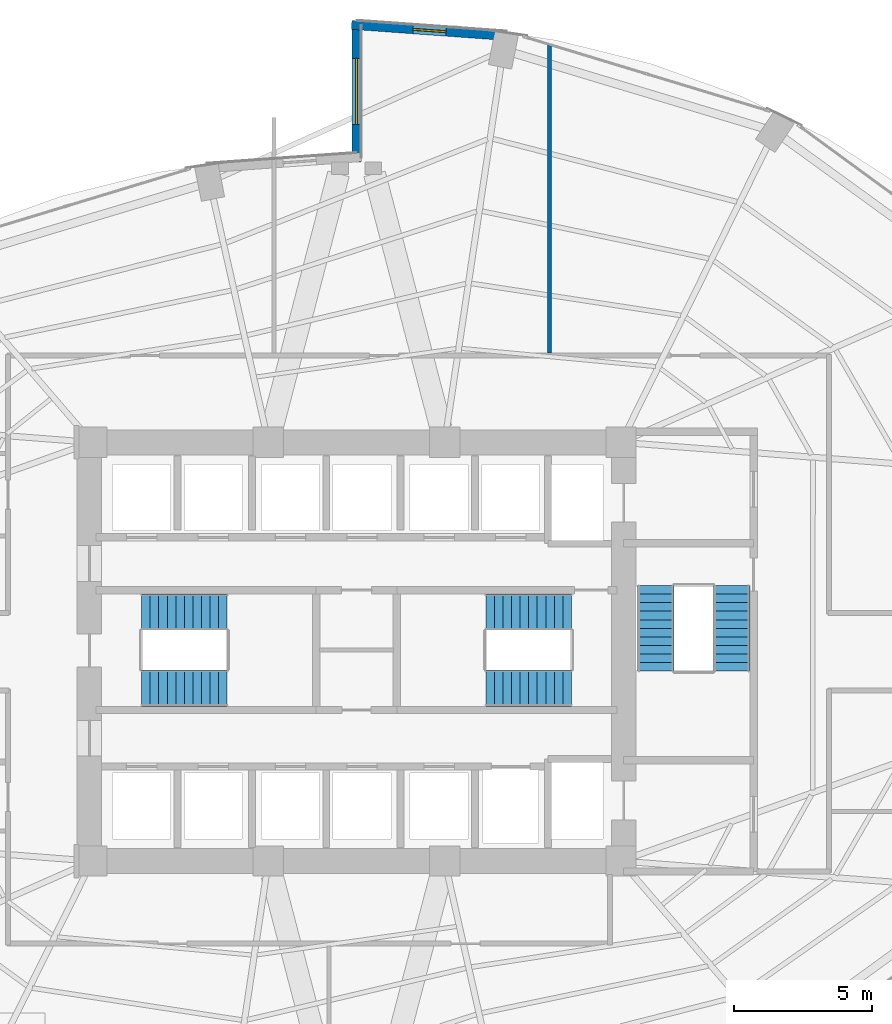
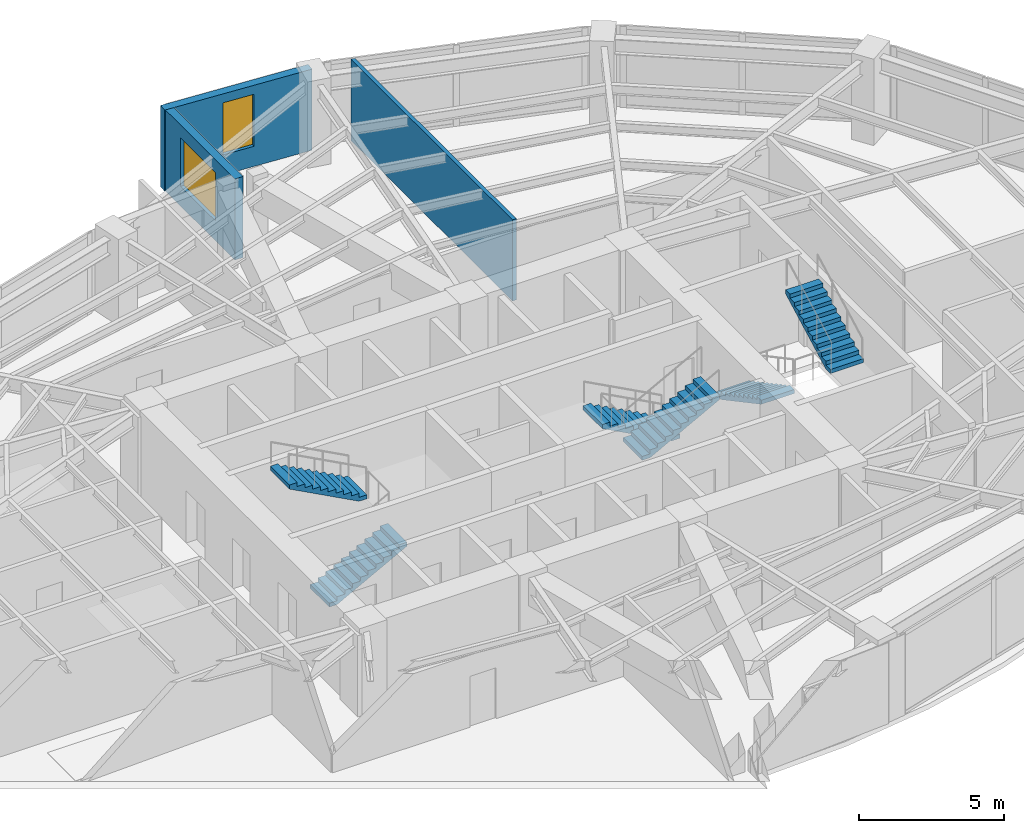
# One storey, part 22 of 24: 6 stair flights, 3 walls, 2 windows, 2 openings, 3 elements without a shape of their own.
"""IFC4 building model written with IfcOpenShell, lengths in metres."""

from ifc_helpers import new_model, si_unit, direction, frame, frame_2d, origin, place, context, subcontext, project, spatial, polyline, rectangle, outline, extrude, material, layer, layer_set, type_object, element, fill, aggregate, save


model = new_model("IFC4")

# Units and contexts
model_context = context("Model", 3, precision=1e-05, world=origin(), true_north=direction((0.0, 1.0)))
body_context = subcontext(model_context, "Body", "Model", "MODEL_VIEW")
ifc_project = project(units=[si_unit("LENGTHUNIT", "METRE"), si_unit("AREAUNIT", "SQUARE_METRE"), si_unit("VOLUMEUNIT", "CUBIC_METRE"), si_unit("PLANEANGLEUNIT", "RADIAN"), si_unit("MASSUNIT", "GRAM", prefix="KILO")], contexts=[model_context])

# Site, building, storey
site_placement = place(None, origin())
site = spatial("IfcSite", under=ifc_project, at=site_placement, CompositionType="ELEMENT")
building_placement = place(site_placement, origin())
building = spatial("IfcBuilding", under=site, at=building_placement, Name="Lazwardi Medical Tower", CompositionType="ELEMENT")
storey_placement = place(building_placement, frame((0.0, 0.0, 36.14404296875)))
storey = spatial("IfcBuildingStorey", under=building, at=storey_placement, Name="L08", CompositionType="ELEMENT", Elevation=36.14404296875)

# Wall, opening, window
ifc_material_1 = material(Name="Precast concrete C45/55", Category="concrete")
ifc_layer_1 = layer(ifc_material_1, 0.320068359375)
ifc_layer_set_1 = layer_set([ifc_layer_1], Name="Precast concrete C45/55")
wall_type_1 = type_object("IfcWallType", Name="WL-IWAN-320", PredefinedType="SOLIDWALL", material=ifc_layer_set_1)
wall_1_placement = place(storey_placement, frame((41.481201171875, 50.345703125, 0.0), z_axis=(0.0, 0.0, 1.0), x_axis=(-0.997422321809, 0.071754525696, 0.0)))
wall_1 = element("IfcWall", 1, at=wall_1_placement, inside=storey, type_object=wall_type_1, Name="L08 Iwan Portal Return Wall NE_ret", PredefinedType="SOLIDWALL", context=body_context, shape_type="SweptSolid", body=[
    extrude(rectangle(XDim=5.67529296875, YDim=0.320068359375, at=frame_2d((2.837646484375, 0.0))), origin(), (0.0, 0.0, 1.0), 3.427978515625),
])
opening_1_placement = place(wall_1_placement, frame((2.23779296875, 0.0, 0.85009765625)))
opening_1 = element("IfcOpeningElement", 2, at=opening_1_placement, cuts=wall_1, Name="Opening WN-01", PredefinedType="OPENING", context=body_context, shape_type="SweptSolid", body=[
    extrude(rectangle(XDim=1.199951171875, YDim=2.199951171875, at=frame_2d((0.60009765625, 1.10009765625))), frame((0.0, 0.169921875, 0.0), z_axis=(0.0, -1.0, 0.0), x_axis=(1.0, 0.0, 0.0)), (0.0, 0.0, 1.0), 0.340087890625),
])
ifc_material_2 = material(Name="Low-e bronze solar control double glazing", Category="glass")
window_type_1 = type_object("IfcWindowType", Name="WIN-IW-1200", PartitioningType="SINGLE_PANEL", PredefinedType="WINDOW", material=ifc_material_2)
window_1_placement = place(opening_1_placement, origin())
window_1 = element("IfcWindow", 3, at=window_1_placement, inside=storey, type_object=window_type_1, Name="L08 Iwan Slot Window NE_ret", OverallHeight=2.199951171875, OverallWidth=1.199951171875, PartitioningType="SINGLE_PANEL", PredefinedType="WINDOW", context=body_context, shape_type="SweptSolid", body=[
    extrude(rectangle(XDim=1.199951171875, YDim=2.199951171875, at=frame_2d((0.60009765625, 1.10009765625))), frame((0.0, 0.030029296875, 0.0), z_axis=(0.0, -1.0, 0.0), x_axis=(1.0, 0.0, 0.0)), (0.0, 0.0, 1.0), 0.06005859375),
])
fill(opening_1, window_1)

wall_2_placement = place(storey_placement, frame((36.0, 50.89990234375, 0.0), z_axis=(0.0, 0.0, 1.0), x_axis=(0.0, -1.0, 0.0)))
wall_2 = element("IfcWall", 4, at=wall_2_placement, inside=storey, type_object=wall_type_1, Name="L08 Turquoise Tilework Iwan Seam Wall N_seam", PredefinedType="SOLIDWALL", context=body_context, shape_type="SweptSolid", body=[
    extrude(rectangle(XDim=5.119873046875, YDim=0.320068359375, at=frame_2d((2.56005859375, 0.0))), origin(), (0.0, 0.0, 1.0), 3.427978515625),
])
opening_2_placement = place(wall_2_placement, frame((1.360107421875, 0.0, 0.840087890625)))
opening_2 = element("IfcOpeningElement", 5, at=opening_2_placement, cuts=wall_2, Name="Opening WN-02", PredefinedType="OPENING", context=body_context, shape_type="SweptSolid", body=[
    extrude(rectangle(XDim=2.39990234375, YDim=2.0400390625, at=frame_2d((1.199951171875, 1.02001953125))), frame((0.0, 0.169921875, 0.0), z_axis=(0.0, -1.0, 0.0), x_axis=(1.0, 0.0, 0.0)), (0.0, 0.0, 1.0), 0.340087890625),
])
window_type_2 = type_object("IfcWindowType", Name="WIN-IW-2400", PartitioningType="SINGLE_PANEL", PredefinedType="WINDOW", material=ifc_material_2)
window_2_placement = place(opening_2_placement, origin())
window_2 = element("IfcWindow", 6, at=window_2_placement, inside=storey, type_object=window_type_2, Name="L08 Iwan Seam Window N_seam", OverallHeight=2.0400390625, OverallWidth=2.39990234375, PartitioningType="SINGLE_PANEL", PredefinedType="WINDOW", context=body_context, shape_type="SweptSolid", body=[
    extrude(rectangle(XDim=2.39990234375, YDim=2.0400390625, at=frame_2d((1.199951171875, 1.02001953125))), frame((0.0, 0.030029296875, 0.0), z_axis=(0.0, -1.0, 0.0), x_axis=(1.0, 0.0, 0.0)), (0.0, 0.0, 1.0), 0.06005859375),
])
fill(opening_2, window_2)

# Wall
ifc_material_3 = material(Name="Acoustic gypsum board partition")
ifc_layer_2 = layer(ifc_material_3, 0.14990234375)
ifc_layer_set_2 = layer_set([ifc_layer_2], Name="Acoustic gypsum board partition")
wall_type_2 = type_object("IfcWallType", Name="WL-WRD-150", PredefinedType="PARTITIONING", material=ifc_layer_set_2)
wall_3_placement = place(storey_placement, frame((43.0, 38.840087890625, 0.0), z_axis=(0.0, 0.0, 1.0), x_axis=(0.0, 1.0, 0.0)))
element("IfcWall", 7, at=wall_3_placement, inside=storey, type_object=wall_type_2, Name="L08 Room partition 7", PredefinedType="PARTITIONING", context=body_context, shape_type="SweptSolid", body=[
    extrude(rectangle(XDim=11.193115234375, YDim=0.14990234375, at=frame_2d((5.5966796875, 0.0))), origin(), (0.0, 0.0, 1.0), 3.427978515625),
])

# Stair, stair flights
ifc_material_4 = material(Name="Concrete C45/55", Category="concrete")
stair_type = type_object("IfcStairType", Name="STR-WRD", PredefinedType="HALF_TURN_STAIR", material=ifc_material_4)
stair_1_placement = place(storey_placement, origin())
stair_1 = element("IfcStair", 8, at=stair_1_placement, inside=storey, type_object=stair_type, Name="L08 Protected Exit Stair ST1", PredefinedType="HALF_TURN_STAIR")
stair_flight_type = type_object("IfcStairFlightType", Name="FLT-WRD", PredefinedType="STRAIGHT", material=ifc_material_4)
stair_flight_1_placement = place(storey_placement, frame((28.199951171875, 26.679931640625, 0.0), z_axis=(0.0, 0.0, 1.0), x_axis=(1.0, 0.0, 0.0)))
stair_flight_1 = element("IfcStairFlight", 9, at=stair_flight_1_placement, type_object=stair_flight_type, Name="ST1 flight 1", NumberOfRisers=11, NumberOfTreads=10, PredefinedType="STRAIGHT", RiserHeight=0.165818182, TreadLength=0.31, context=body_context, shape_type="SweptSolid", body=[
    extrude(outline(polyline([(0.0, 0.0), (0.0, 0.165771484375), (0.31005859375, 0.165771484375), (0.31005859375, 0.33154296875), (0.6201171875, 0.33154296875), (0.6201171875, 0.49755859375), (0.929931640625, 0.49755859375), (0.929931640625, 0.663330078125), (1.239990234375, 0.663330078125), (1.239990234375, 0.8291015625), (1.550048828125, 0.8291015625), (1.550048828125, 0.994873046875), (1.860107421875, 0.994873046875), (1.860107421875, 1.16064453125), (2.169921875, 1.16064453125), (2.169921875, 1.32666015625), (2.47998046875, 1.32666015625), (2.47998046875, 1.492431640625), (2.7900390625, 1.492431640625), (2.7900390625, 1.658203125), (3.10009765625, 1.658203125), (3.10009765625, 1.823974609375), (3.10009765625, 1.48828125), (0.31787109375, 0.0), (0.0, 0.0)])), frame((0.0, 0.66015625, 0.0), z_axis=(0.0, -1.0, 0.0), x_axis=(1.0, 0.0, 0.0)), (0.0, 0.0, 1.0), 1.320068359375),
])
stair_flight_2_placement = place(storey_placement, frame((31.300048828125, 29.43994140625, 1.823974609375), z_axis=(0.0, 0.0, 1.0), x_axis=(-1.0, 0.0, 0.0)))
stair_flight_2 = element("IfcStairFlight", 10, at=stair_flight_2_placement, type_object=stair_flight_type, Name="ST1 flight 2", NumberOfRisers=11, NumberOfTreads=10, PredefinedType="STRAIGHT", RiserHeight=0.165818182, TreadLength=0.31, context=body_context, shape_type="SweptSolid", body=[
    extrude(outline(polyline([(0.0, 0.0), (0.0, 0.165771484375), (0.31005859375, 0.165771484375), (0.31005859375, 0.33154296875), (0.6201171875, 0.33154296875), (0.6201171875, 0.49755859375), (0.929931640625, 0.49755859375), (0.929931640625, 0.663330078125), (1.239990234375, 0.663330078125), (1.239990234375, 0.8291015625), (1.550048828125, 0.8291015625), (1.550048828125, 0.994873046875), (1.860107421875, 0.994873046875), (1.860107421875, 1.16064453125), (2.169921875, 1.16064453125), (2.169921875, 1.32666015625), (2.47998046875, 1.32666015625), (2.47998046875, 1.492431640625), (2.7900390625, 1.492431640625), (2.7900390625, 1.658203125), (3.10009765625, 1.658203125), (3.10009765625, 1.823974609375), (3.10009765625, 1.48828125), (0.31787109375, 0.0), (0.0, 0.0)])), frame((0.0, 0.66015625, 0.0), z_axis=(0.0, -1.0, 0.0), x_axis=(1.0, 0.0, 0.0)), (0.0, 0.0, 1.0), 1.320068359375),
])
aggregate(stair_1, [stair_flight_1, stair_flight_2])

stair_2_placement = place(storey_placement, origin())
stair_2 = element("IfcStair", 11, at=stair_2_placement, inside=storey, type_object=stair_type, Name="L08 Protected Exit Stair ST2", PredefinedType="HALF_TURN_STAIR")
stair_flight_3_placement = place(storey_placement, frame((43.800048828125, 29.43994140625, 0.0), z_axis=(0.0, 0.0, 1.0), x_axis=(-1.0, 0.0, 0.0)))
stair_flight_3 = element("IfcStairFlight", 12, at=stair_flight_3_placement, type_object=stair_flight_type, Name="ST2 flight 1", NumberOfRisers=11, NumberOfTreads=10, PredefinedType="STRAIGHT", RiserHeight=0.165818182, TreadLength=0.31, context=body_context, shape_type="SweptSolid", body=[
    extrude(outline(polyline([(0.0, 0.0), (0.0, 0.165771484375), (0.31005859375, 0.165771484375), (0.31005859375, 0.33154296875), (0.6201171875, 0.33154296875), (0.6201171875, 0.49755859375), (0.929931640625, 0.49755859375), (0.929931640625, 0.663330078125), (1.239990234375, 0.663330078125), (1.239990234375, 0.8291015625), (1.550048828125, 0.8291015625), (1.550048828125, 0.994873046875), (1.860107421875, 0.994873046875), (1.860107421875, 1.16064453125), (2.169921875, 1.16064453125), (2.169921875, 1.32666015625), (2.47998046875, 1.32666015625), (2.47998046875, 1.492431640625), (2.7900390625, 1.492431640625), (2.7900390625, 1.658203125), (3.10009765625, 1.658203125), (3.10009765625, 1.823974609375), (3.10009765625, 1.48828125), (0.31787109375, 0.0), (0.0, 0.0)])), frame((0.0, 0.66015625, 0.0), z_axis=(0.0, -1.0, 0.0), x_axis=(1.0, 0.0, 0.0)), (0.0, 0.0, 1.0), 1.320068359375),
])
stair_flight_4_placement = place(storey_placement, frame((40.699951171875, 26.679931640625, 1.823974609375), z_axis=(0.0, 0.0, 1.0), x_axis=(1.0, 0.0, 0.0)))
stair_flight_4 = element("IfcStairFlight", 13, at=stair_flight_4_placement, type_object=stair_flight_type, Name="ST2 flight 2", NumberOfRisers=11, NumberOfTreads=10, PredefinedType="STRAIGHT", RiserHeight=0.165818182, TreadLength=0.31, context=body_context, shape_type="SweptSolid", body=[
    extrude(outline(polyline([(0.0, 0.0), (0.0, 0.165771484375), (0.31005859375, 0.165771484375), (0.31005859375, 0.33154296875), (0.6201171875, 0.33154296875), (0.6201171875, 0.49755859375), (0.929931640625, 0.49755859375), (0.929931640625, 0.663330078125), (1.239990234375, 0.663330078125), (1.239990234375, 0.8291015625), (1.550048828125, 0.8291015625), (1.550048828125, 0.994873046875), (1.860107421875, 0.994873046875), (1.860107421875, 1.16064453125), (2.169921875, 1.16064453125), (2.169921875, 1.32666015625), (2.47998046875, 1.32666015625), (2.47998046875, 1.492431640625), (2.7900390625, 1.492431640625), (2.7900390625, 1.658203125), (3.10009765625, 1.658203125), (3.10009765625, 1.823974609375), (3.10009765625, 1.48828125), (0.31787109375, 0.0), (0.0, 0.0)])), frame((0.0, 0.66015625, 0.0), z_axis=(0.0, -1.0, 0.0), x_axis=(1.0, 0.0, 0.0)), (0.0, 0.0, 1.0), 1.320068359375),
])
aggregate(stair_2, [stair_flight_3, stair_flight_4])

stair_3_placement = place(storey_placement, origin())
stair_3 = element("IfcStair", 14, at=stair_3_placement, inside=storey, type_object=stair_type, Name="L08 Protected Exit Stair ST3", PredefinedType="HALF_TURN_STAIR")
stair_flight_5_placement = place(storey_placement, frame((46.860107421875, 30.39990234375, 0.0), z_axis=(0.0, 0.0, 1.0), x_axis=(0.0, -1.0, 0.0)))
stair_flight_5 = element("IfcStairFlight", 15, at=stair_flight_5_placement, type_object=stair_flight_type, Name="ST3 flight 1", NumberOfRisers=11, NumberOfTreads=10, PredefinedType="STRAIGHT", RiserHeight=0.165818182, TreadLength=0.31, context=body_context, shape_type="SweptSolid", body=[
    extrude(outline(polyline([(0.0, 0.0), (0.0, 0.165771484375), (0.31005859375, 0.165771484375), (0.31005859375, 0.33154296875), (0.6201171875, 0.33154296875), (0.6201171875, 0.49755859375), (0.929931640625, 0.49755859375), (0.929931640625, 0.663330078125), (1.239990234375, 0.663330078125), (1.239990234375, 0.8291015625), (1.550048828125, 0.8291015625), (1.550048828125, 0.994873046875), (1.860107421875, 0.994873046875), (1.860107421875, 1.16064453125), (2.169921875, 1.16064453125), (2.169921875, 1.32666015625), (2.47998046875, 1.32666015625), (2.47998046875, 1.492431640625), (2.7900390625, 1.492431640625), (2.7900390625, 1.658203125), (3.10009765625, 1.658203125), (3.10009765625, 1.823974609375), (3.10009765625, 1.48828125), (0.31787109375, 0.0), (0.0, 0.0)])), frame((0.0, 0.66015625, 0.0), z_axis=(0.0, -1.0, 0.0), x_axis=(1.0, 0.0, 0.0)), (0.0, 0.0, 1.0), 1.320068359375),
])
stair_flight_6_placement = place(storey_placement, frame((49.6201171875, 27.300048828125, 1.823974609375), z_axis=(0.0, 0.0, 1.0), x_axis=(0.0, 1.0, 0.0)))
stair_flight_6 = element("IfcStairFlight", 16, at=stair_flight_6_placement, type_object=stair_flight_type, Name="ST3 flight 2", NumberOfRisers=11, NumberOfTreads=10, PredefinedType="STRAIGHT", RiserHeight=0.165818182, TreadLength=0.31, context=body_context, shape_type="SweptSolid", body=[
    extrude(outline(polyline([(0.0, 0.0), (0.0, 0.165771484375), (0.31005859375, 0.165771484375), (0.31005859375, 0.33154296875), (0.6201171875, 0.33154296875), (0.6201171875, 0.49755859375), (0.929931640625, 0.49755859375), (0.929931640625, 0.663330078125), (1.239990234375, 0.663330078125), (1.239990234375, 0.8291015625), (1.550048828125, 0.8291015625), (1.550048828125, 0.994873046875), (1.860107421875, 0.994873046875), (1.860107421875, 1.16064453125), (2.169921875, 1.16064453125), (2.169921875, 1.32666015625), (2.47998046875, 1.32666015625), (2.47998046875, 1.492431640625), (2.7900390625, 1.492431640625), (2.7900390625, 1.658203125), (3.10009765625, 1.658203125), (3.10009765625, 1.823974609375), (3.10009765625, 1.48828125), (0.31787109375, 0.0), (0.0, 0.0)])), frame((0.0, 0.66015625, 0.0), z_axis=(0.0, -1.0, 0.0), x_axis=(1.0, 0.0, 0.0)), (0.0, 0.0, 1.0), 1.320068359375),
])
aggregate(stair_3, [stair_flight_5, stair_flight_6])

save(model, "model.ifc")
